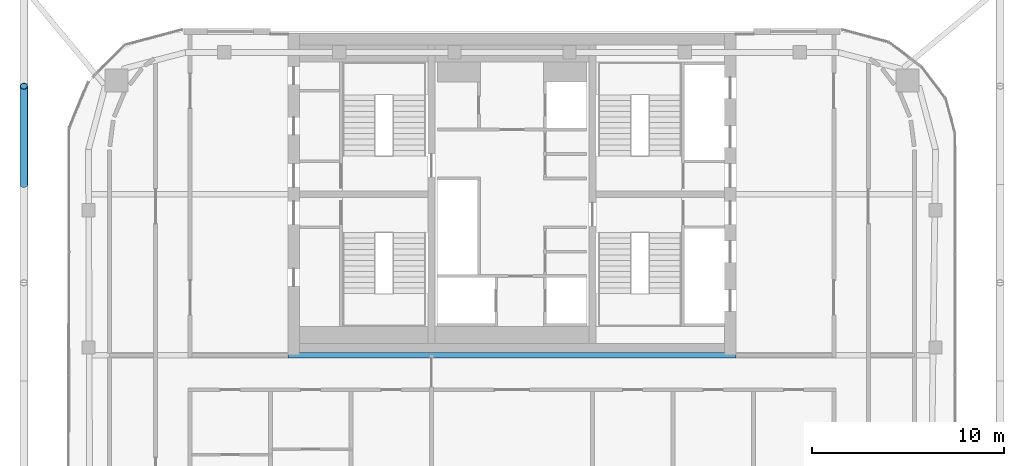
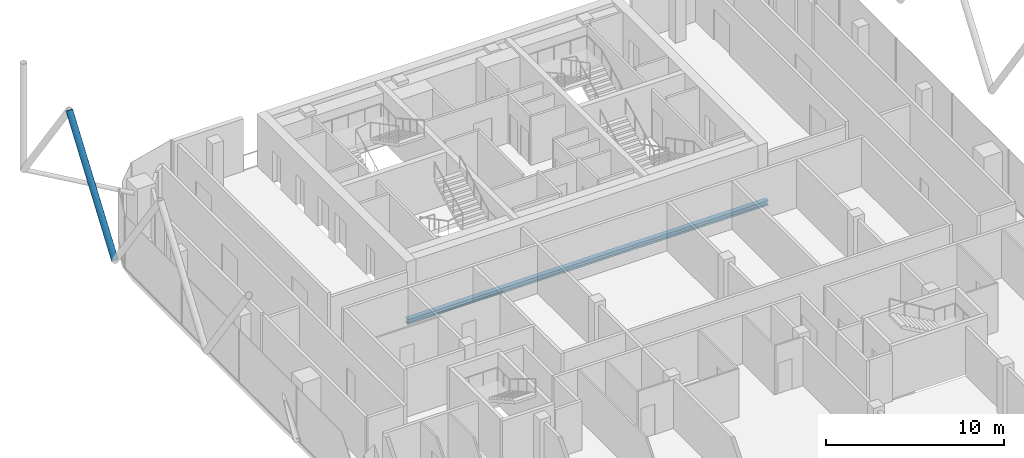
# One storey, part 9 of 27: 1 beam, 1 member.
"""IFC4 building model written with IfcOpenShell, lengths in metres."""

from ifc_helpers import new_model, si_unit, direction, frame, origin, origin_2d, place, context, subcontext, project, spatial, hollow_circle, i_section, extrude, material, material_profile, profile_set, type_object, element, save


model = new_model("IFC4")

# Units and contexts
model_context = context("Model", 3, precision=1e-05, world=origin(), true_north=direction((0.0, 1.0)))
body_context = subcontext(model_context, "Body", "Model", "MODEL_VIEW")
ifc_project = project(units=[si_unit("LENGTHUNIT", "METRE"), si_unit("AREAUNIT", "SQUARE_METRE"), si_unit("VOLUMEUNIT", "CUBIC_METRE"), si_unit("PLANEANGLEUNIT", "RADIAN"), si_unit("MASSUNIT", "GRAM", prefix="KILO")], contexts=[model_context])

# Site, building, storey
site_placement = place(None, origin())
site = spatial("IfcSite", under=ifc_project, at=site_placement, CompositionType="ELEMENT")
building_placement = place(site_placement, origin())
building = spatial("IfcBuilding", under=site, at=building_placement, Name="Marenta Gate Hotel Tower", CompositionType="ELEMENT")
storey_placement = place(building_placement, frame((0.0, 0.0, 270.5)))
storey = spatial("IfcBuildingStorey", under=building, at=storey_placement, Name="L62", CompositionType="ELEMENT", Elevation=270.5)

# Member
ifc_material_1 = material(Name="Steel S355J2W", Category="steel")
ifc_material_profile_1 = material_profile(ifc_material_1, hollow_circle(Radius=0.203125, WallThickness=0.02490234375, at=origin_2d()), Name="CHS 406.4x25")
ifc_profile_set_1 = profile_set([ifc_material_profile_1], Name="Steel S355J2W")
member_type = type_object("IfcMemberType", Name="Diagrid diagonal Z4 CHS 406.4x25", PredefinedType="BRACE", material=ifc_profile_set_1)
member_placement = place(storey_placement, frame((-25.469970703125, 8.911376953125, 3.139892578125), z_axis=(0.0, 0.580218919795, 0.814460560808), x_axis=(-1.0, 0.0, 0.0)))
element("IfcMember", 1, at=member_placement, inside=storey, type_object=member_type, Name="L62-DG-33", PredefinedType="BRACE", context=body_context, shape_type="SweptSolid", body=[
    extrude(hollow_circle(Radius=0.203125, WallThickness=0.02490234375, at=origin_2d()), origin(), (0.0, 0.0, 1.0), 8.84033203125),
])

# Beam
ifc_material_2 = material(Name="Steel S355", Category="steel")
ifc_material_profile_2 = material_profile(ifc_material_2, i_section(OverallWidth=0.300048828125, OverallDepth=0.340087890625, WebThickness=0.011962890625, FlangeThickness=0.021484375, FilletRadius=0.027099609375, at=origin_2d()), Name="HEB 340")
ifc_profile_set_2 = profile_set([ifc_material_profile_2], Name="Steel S355")
beam_type = type_object("IfcBeamType", Name="Girder HEB 340", PredefinedType="BEAM", material=ifc_profile_set_2)
beam_placement = place(storey_placement, frame((-11.699951171875, 0.0, -0.429931640625), z_axis=(1.0, 0.0, 0.0), x_axis=(0.0, 1.0, 0.0)))
element("IfcBeam", 2, at=beam_placement, inside=storey, type_object=beam_type, Name="L62-GD-17", PredefinedType="BEAM", context=body_context, shape_type="SweptSolid", body=[
    extrude(i_section(OverallWidth=0.300048828125, OverallDepth=0.340087890625, WebThickness=0.011962890625, FlangeThickness=0.021484375, FilletRadius=0.027099609375, at=origin_2d()), origin(), (0.0, 0.0, 1.0), 23.39990234375),
])

save(model, "model.ifc")
